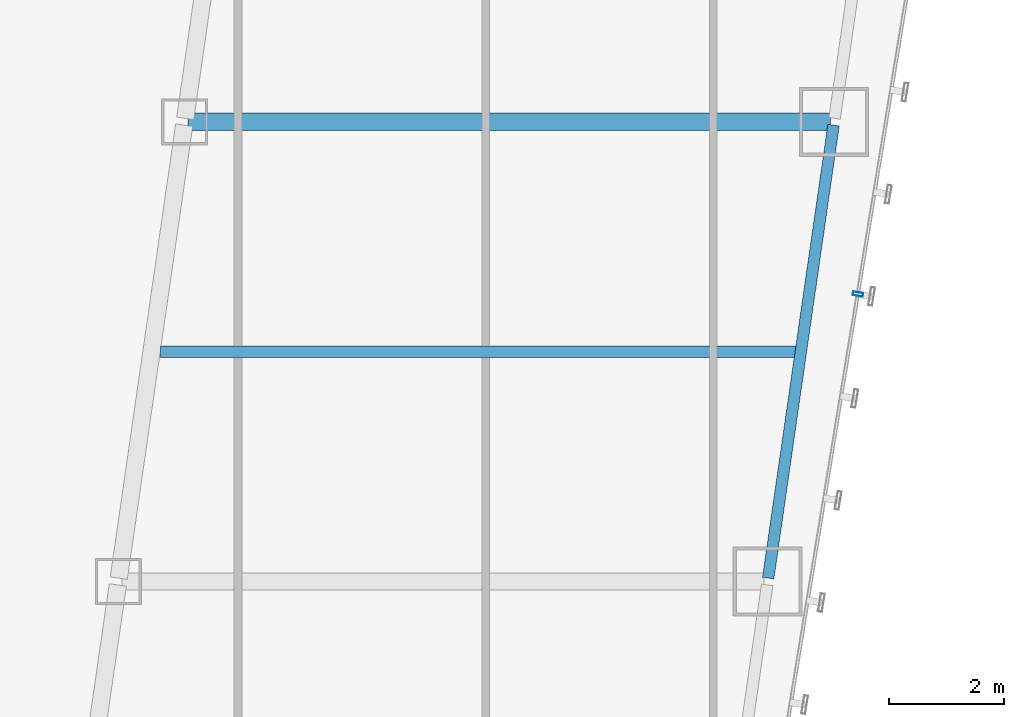
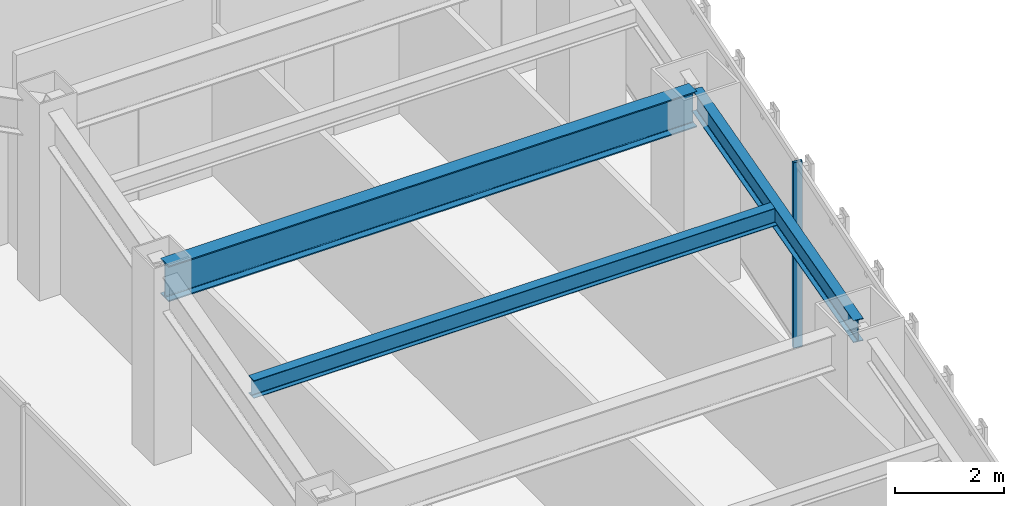
# One storey, part 21 of 47: 3 beams, 1 member, 1 element without a shape of its own.
"""IFC4 building model written with IfcOpenShell, lengths in metres."""

from ifc_helpers import new_model, si_unit, direction, frame, origin, origin_2d, place, context, subcontext, project, spatial, hollow_rectangle, i_section, extrude, material, material_profile, profile_set, type_object, element, aggregate, save


model = new_model("IFC4")

# Units and contexts
model_context = context("Model", 3, precision=1e-05, world=origin(), true_north=direction((0.0, 1.0)))
body_context = subcontext(model_context, "Body", "Model", "MODEL_VIEW")
ifc_project = project(units=[si_unit("LENGTHUNIT", "METRE"), si_unit("AREAUNIT", "SQUARE_METRE"), si_unit("VOLUMEUNIT", "CUBIC_METRE"), si_unit("PLANEANGLEUNIT", "RADIAN"), si_unit("MASSUNIT", "GRAM", prefix="KILO")], contexts=[model_context])

# Site, building, storey
site_placement = place(None, origin())
site = spatial("IfcSite", under=ifc_project, at=site_placement, CompositionType="ELEMENT")
building_placement = place(site_placement, origin())
building = spatial("IfcBuilding", under=site, at=building_placement, Name="Saevonmaru Cultural Tower", CompositionType="ELEMENT")
storey_placement = place(building_placement, frame((0.0, 0.0, 92.800048828125)))
storey = spatial("IfcBuildingStorey", under=building, at=storey_placement, Name="L19", CompositionType="ELEMENT", Elevation=92.800048828125)

# Beams
ifc_material_1 = material(Name="Steel SM420", Category="steel")
ifc_material_profile_1 = material_profile(ifc_material_1, i_section(OverallWidth=0.300048828125, OverallDepth=0.800048828125, WebThickness=0.013916015625, FlangeThickness=0.02587890625, FilletRadius=0.028076171875, at=origin_2d()), Name="H-800x300x14x26")
ifc_profile_set_1 = profile_set([ifc_material_profile_1], Name="Steel SM420")
beam_type_1 = type_object("IfcBeamType", Name="BM-G-H800", PredefinedType="BEAM", material=ifc_profile_set_1)
beam_1_placement = place(storey_placement, frame((40.443115234375, 32.0, 3.75), z_axis=(1.0, 0.0, 0.0), x_axis=(0.0, 1.0, 0.0)))
element("IfcBeam", 1, at=beam_1_placement, inside=storey, type_object=beam_type_1, Name="L19 East Wing Transverse Girder 5", PredefinedType="BEAM", context=body_context, shape_type="SweptSolid", body=[
    extrude(i_section(OverallWidth=0.300048828125, OverallDepth=0.800048828125, WebThickness=0.013916015625, FlangeThickness=0.02587890625, FilletRadius=0.028076171875, at=origin_2d()), origin(), (0.0, 0.0, 1.0), 11.179931640625),
])
ifc_material_2 = material(Name="Steel SM355", Category="steel")
ifc_material_profile_2 = material_profile(ifc_material_2, i_section(OverallWidth=0.199951171875, OverallDepth=0.39990234375, WebThickness=0.008056640625, FlangeThickness=0.012939453125, FilletRadius=0.01611328125, at=origin_2d()), Name="H-400x200x8x13")
ifc_profile_set_2 = profile_set([ifc_material_profile_2], Name="Steel SM355")
beam_type_2 = type_object("IfcBeamType", Name="BM-J-H400", PredefinedType="JOIST", material=ifc_profile_set_2)
beam_2_placement = place(storey_placement, frame((39.96337890625, 28.0, 3.949951171875), z_axis=(1.0, 0.0, 0.0), x_axis=(0.0, 1.0, 0.0)))
element("IfcBeam", 2, at=beam_2_placement, inside=storey, type_object=beam_type_2, Name="L19 East Wing Floor Joist 4", PredefinedType="JOIST", context=body_context, shape_type="SweptSolid", body=[
    extrude(i_section(OverallWidth=0.199951171875, OverallDepth=0.39990234375, WebThickness=0.008056640625, FlangeThickness=0.012939453125, FilletRadius=0.01611328125, at=origin_2d()), origin(), (0.0, 0.0, 1.0), 11.08203125),
])
ifc_material_profile_3 = material_profile(ifc_material_2, i_section(OverallWidth=0.199951171875, OverallDepth=0.5, WebThickness=0.010009765625, FlangeThickness=0.01611328125, FilletRadius=0.02001953125, at=origin_2d()), Name="H-500x200x10x16")
ifc_profile_set_3 = profile_set([ifc_material_profile_3], Name="Steel SM355")
beam_type_3 = type_object("IfcBeamType", Name="BM-SP-H500", PredefinedType="SPANDREL", material=ifc_profile_set_3)
beam_3_placement = place(storey_placement, frame((50.53662109375, 24.059326171875, 3.89990234375), z_axis=(0.142871999001, 0.989741174197, 0.0), x_axis=(-0.989741174197, 0.142871999001, 0.0)))
element("IfcBeam", 3, at=beam_3_placement, inside=storey, type_object=beam_type_3, Name="L19 East Splayed Spandrel 4", PredefinedType="SPANDREL", context=body_context, shape_type="SweptSolid", body=[
    extrude(i_section(OverallWidth=0.199951171875, OverallDepth=0.5, WebThickness=0.010009765625, FlangeThickness=0.01611328125, FilletRadius=0.02001953125, at=origin_2d()), origin(), (0.0, 0.0, 1.0), 7.963134765625),
])

# Curtain wall, member
ifc_material_3 = material(Name="Satin Bronze Anodised Aluminium", Category="aluminium")
curtain_wall_type = type_object("IfcCurtainWallType", Name="CW-TYP-A", PredefinedType="NOTDEFINED", material=ifc_material_3)
curtain_wall_placement = place(storey_placement, origin())
curtain_wall = element("IfcCurtainWall", 4, at=curtain_wall_placement, inside=storey, type_object=curtain_wall_type, Name="L19 Unitised Curtain Wall E8", PredefinedType="NOTDEFINED")
ifc_material_profile_4 = material_profile(ifc_material_3, hollow_rectangle(XDim=0.06494140625, YDim=0.179931640625, WallThickness=0.00390625, at=origin_2d()), Name="ALU-MULL-180x65x4")
ifc_profile_set_4 = profile_set([ifc_material_profile_4], Name="Satin Bronze Anodised Aluminium")
member_type = type_object("IfcMemberType", Name="ML-CW-180x65", PredefinedType="MULLION", material=ifc_profile_set_4)
member_placement = place(storey_placement, frame((52.10009765625, 29.0, 0.0), z_axis=(0.0, 0.0, 1.0), x_axis=(0.161708868641, 0.986838508472, 0.0)))
member = element("IfcMember", 5, at=member_placement, type_object=member_type, Name="CW-TW-L19-E8 mullion 3", PredefinedType="MULLION", context=body_context, shape_type="SweptSolid", body=[
    extrude(hollow_rectangle(XDim=0.06494140625, YDim=0.179931640625, WallThickness=0.00390625, at=origin_2d()), origin(), (0.0, 0.0, 1.0), 4.14990234375),
])
aggregate(curtain_wall, [member])

save(model, "model.ifc")
